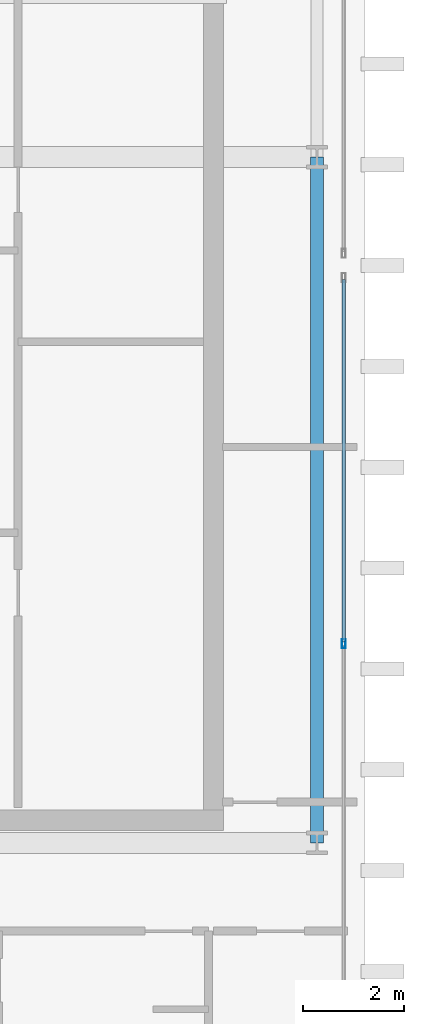
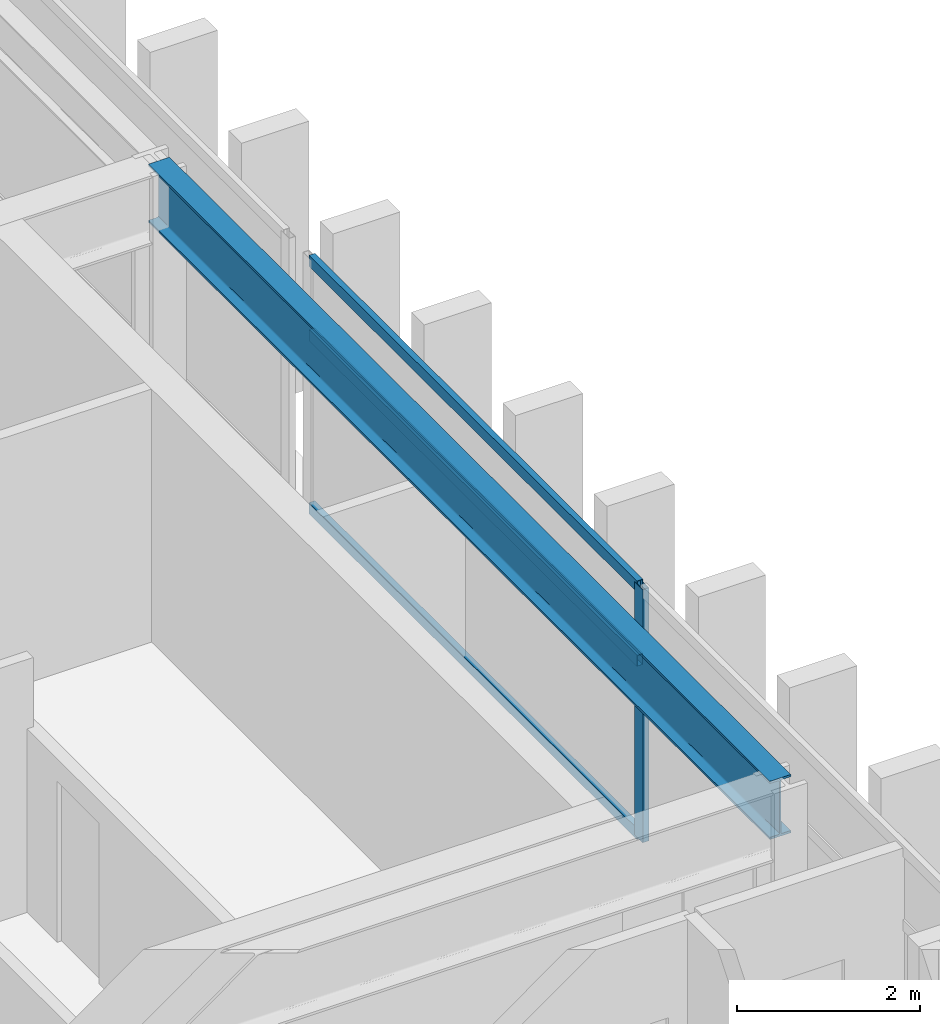
# One storey, part 10 of 25: 4 members, 1 beam, 1 element without a shape of its own.
"""IFC4 building model written with IfcOpenShell, lengths in metres."""

from ifc_helpers import new_model, si_unit, direction, frame, origin, origin_2d, place, context, subcontext, project, spatial, hollow_rectangle, i_section, extrude, source, transform, mapped, material, layer, layer_set, material_profile, profile_set, type_object, element, aggregate, save


model = new_model("IFC4")

# Units and contexts
model_context = context("Model", 3, precision=1e-05, world=origin(), true_north=direction((0.0, 1.0)))
body_context = subcontext(model_context, "Body", "Model", "MODEL_VIEW")
ifc_project = project(units=[si_unit("LENGTHUNIT", "METRE"), si_unit("AREAUNIT", "SQUARE_METRE"), si_unit("VOLUMEUNIT", "CUBIC_METRE"), si_unit("PLANEANGLEUNIT", "RADIAN"), si_unit("MASSUNIT", "GRAM", prefix="KILO")], contexts=[model_context])

# Site, building, storey
site_placement = place(None, origin())
site = spatial("IfcSite", under=ifc_project, at=site_placement, CompositionType="ELEMENT")
building_placement = place(site_placement, origin())
building = spatial("IfcBuilding", under=site, at=building_placement, Name="Ocotamira Hotel", CompositionType="ELEMENT")
storey_placement = place(building_placement, frame((0.0, 0.0, 250.800048828125)))
storey = spatial("IfcBuildingStorey", under=building, at=storey_placement, Name="L63", CompositionType="ELEMENT", Elevation=250.800048828125)

# Beam
ifc_material_1 = material(Name="Steel ASTM A992 Grade 50", Category="steel")
ifc_material_profile_1 = material_profile(ifc_material_1, i_section(OverallWidth=0.26611328125, OverallDepth=0.779052734375, WebThickness=0.0166015625, FlangeThickness=0.030029296875, FilletRadius=0.01806640625, at=origin_2d()), Name="W30X148")
ifc_profile_set_1 = profile_set([ifc_material_profile_1], Name="Steel ASTM A992 Grade 50")
beam_type = type_object("IfcBeamType", Name="BM-GIRD-W30X148", PredefinedType="BEAM", material=ifc_profile_set_1)
shared_shape_1 = source(origin(), body_context, "Body", "SweptSolid", [
    extrude(i_section(OverallWidth=0.26611328125, OverallDepth=0.779052734375, WebThickness=0.0166015625, FlangeThickness=0.030029296875, FilletRadius=0.01806640625, at=origin_2d()), origin(), (0.0, 0.0, 1.0), 13.599853515625),
])
beam_placement = place(storey_placement, frame((55.050048828125, 14.550048828125, 2.990478515625), z_axis=(0.0, 1.0, 0.0), x_axis=(-1.0, 0.0, 0.0)))
element("IfcBeam", 1, at=beam_placement, inside=storey, type_object=beam_type, Name="L63 Beam X55.05 Y14.55-28.15", PredefinedType="BEAM", context=body_context, shape_type="MappedRepresentation", body=[
    mapped(shared_shape_1, transform((0.0, 0.0, 0.0), scale=1.0)),
])

# Curtain wall, members
ifc_material_2 = material(Name="Anodised pale-metal aluminium and solar glass", Category="aluminium")
ifc_layer = layer(ifc_material_2, 0.2099609375)
ifc_layer_set = layer_set([ifc_layer], Name="Anodised pale-metal aluminium and solar glass")
curtain_wall_type = type_object("IfcCurtainWallType", Name="CW-SYS7-PEAK", PredefinedType="NOTDEFINED", material=ifc_layer_set)
curtain_wall_placement = place(storey_placement, origin())
curtain_wall = element("IfcCurtainWall", 2, at=curtain_wall_placement, inside=storey, type_object=curtain_wall_type, Name="L63 Curtain Wall CW-7 CW-L63-EO1", PredefinedType="NOTDEFINED")
ifc_material_3 = material(Name="Anodised pale-metal aluminium 6063-T6", Category="aluminium")
ifc_material_profile_2 = material_profile(ifc_material_3, hollow_rectangle(XDim=0.080078125, YDim=0.179931640625, WallThickness=0.006103515625, at=origin_2d()), Name="HSS180X80X6")
ifc_profile_set_2 = profile_set([ifc_material_profile_2], Name="Anodised pale-metal aluminium 6063-T6")
member_type_1 = type_object("IfcMemberType", Name="CWM-180X75", PredefinedType="MULLION", material=ifc_profile_set_2)
shared_shape_2 = source(origin(), body_context, "Body", "SweptSolid", [
    extrude(hollow_rectangle(XDim=0.080078125, YDim=0.179931640625, WallThickness=0.006103515625, at=origin_2d()), origin(), (0.0, 0.0, 1.0), 3.3798828125),
])
member_1_placement = place(storey_placement, frame((55.580078125, 18.5, 0.0), z_axis=(0.0, 0.0, 1.0), x_axis=(-1.0, 0.0, 0.0)))
member_1 = element("IfcMember", 3, at=member_1_placement, type_object=member_type_1, Name="CW-7 mullion 2", PredefinedType="MULLION", context=body_context, shape_type="MappedRepresentation", body=[
    mapped(shared_shape_2, transform((0.0, 0.0, 0.0), scale=1.0)),
])
ifc_material_profile_3 = material_profile(ifc_material_3, hollow_rectangle(XDim=0.074951171875, YDim=0.14990234375, WallThickness=0.006103515625, at=origin_2d()), Name="HSS150X75X6")
ifc_profile_set_3 = profile_set([ifc_material_profile_3], Name="Anodised pale-metal aluminium 6063-T6")
member_type_2 = type_object("IfcMemberType", Name="CWT-150X75", PredefinedType="USERDEFINED", material=ifc_profile_set_3)
shared_shape_3 = source(origin(), body_context, "Body", "SweptSolid", [
    extrude(hollow_rectangle(XDim=0.074951171875, YDim=0.14990234375, WallThickness=0.006103515625, at=origin_2d()), origin(), (0.0, 0.0, 1.0), 7.179931640625),
])
member_2_placement = place(storey_placement, frame((55.580078125, 18.5400390625, 0.037353515625), z_axis=(0.0, 1.0, 0.0), x_axis=(-1.0, 0.0, 0.0)))
member_2 = element("IfcMember", 4, at=member_2_placement, type_object=member_type_2, Name="CW-7 transom 2.1", ObjectType="TRANSOM", PredefinedType="USERDEFINED", context=body_context, shape_type="MappedRepresentation", body=[
    mapped(shared_shape_3, transform((0.0, 0.0, 0.0), scale=1.0)),
])
member_3_placement = place(storey_placement, frame((55.580078125, 18.5400390625, 2.349853515625), z_axis=(0.0, 1.0, 0.0), x_axis=(-1.0, 0.0, 0.0)))
member_3 = element("IfcMember", 5, at=member_3_placement, type_object=member_type_2, Name="CW-7 transom 2.2", ObjectType="TRANSOM", PredefinedType="USERDEFINED", context=body_context, shape_type="MappedRepresentation", body=[
    mapped(shared_shape_3, transform((0.0, 0.0, 0.0), scale=1.0)),
])
member_4_placement = place(storey_placement, frame((55.580078125, 18.5400390625, 3.342529296875), z_axis=(0.0, 1.0, 0.0), x_axis=(-1.0, 0.0, 0.0)))
member_4 = element("IfcMember", 6, at=member_4_placement, type_object=member_type_2, Name="CW-7 transom 2.3", ObjectType="TRANSOM", PredefinedType="USERDEFINED", context=body_context, shape_type="MappedRepresentation", body=[
    mapped(shared_shape_3, transform((0.0, 0.0, 0.0), scale=1.0)),
])
aggregate(curtain_wall, [member_1, member_2, member_3, member_4])

save(model, "model.ifc")
